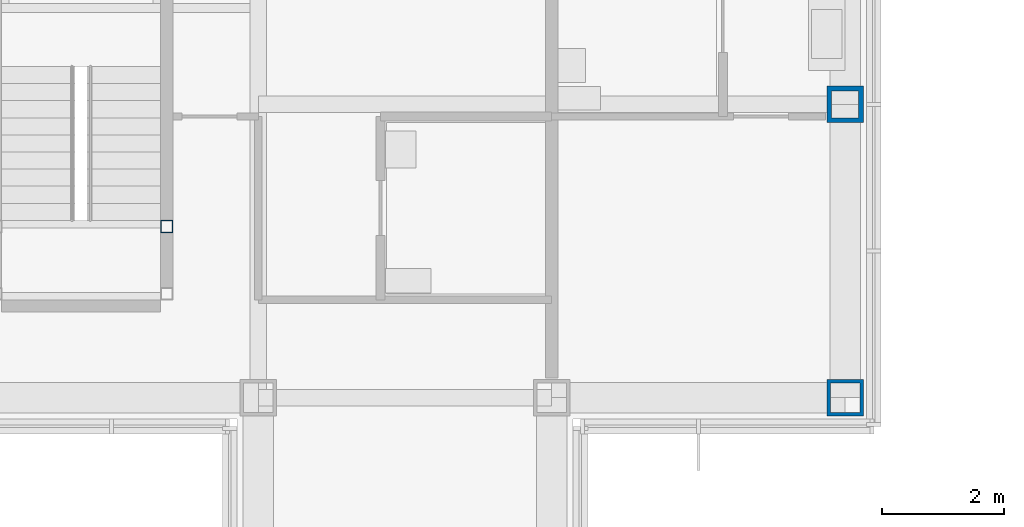
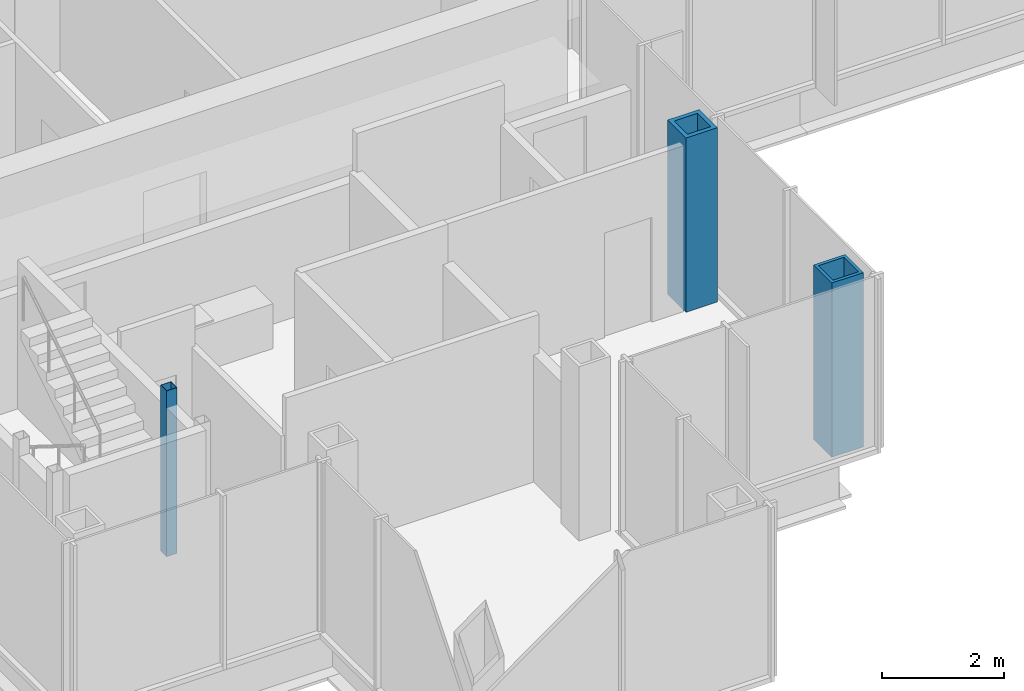
# One storey, part 2 of 17: 3 columns.
"""IFC4 building model written with IfcOpenShell, lengths in metres."""

from ifc_helpers import new_model, si_unit, direction, frame, origin, origin_2d, place, context, subcontext, project, spatial, hollow_rectangle, extrude, material, material_profile, profile_set, type_object, element, save


model = new_model("IFC4")

# Units and contexts
model_context = context("Model", 3, precision=1e-05, world=origin(), true_north=direction((0.0, 1.0)))
body_context = subcontext(model_context, "Body", "Model", "MODEL_VIEW")
ifc_project = project(units=[si_unit("LENGTHUNIT", "METRE"), si_unit("AREAUNIT", "SQUARE_METRE"), si_unit("VOLUMEUNIT", "CUBIC_METRE"), si_unit("PLANEANGLEUNIT", "RADIAN"), si_unit("MASSUNIT", "GRAM", prefix="KILO")], contexts=[model_context])

# Site, building, storey
site_placement = place(None, origin())
site = spatial("IfcSite", under=ifc_project, at=site_placement, CompositionType="ELEMENT")
building_placement = place(site_placement, origin())
building = spatial("IfcBuilding", under=site, at=building_placement, Name="Kvirike Care Tower", CompositionType="ELEMENT")
storey_placement = place(building_placement, frame((0.0, 0.0, 158.5)))
storey = spatial("IfcBuildingStorey", under=building, at=storey_placement, Name="L43", CompositionType="ELEMENT", Elevation=158.5)

# Columns
ifc_material_1 = material(Name="Steel S460", Category="steel")
ifc_material_profile_1 = material_profile(ifc_material_1, hollow_rectangle(XDim=0.60009765625, YDim=0.60009765625, WallThickness=0.06005859375, at=origin_2d()), Name="BX 600x600x60")
ifc_profile_set_1 = profile_set([ifc_material_profile_1], Name="Steel S460")
column_type_1 = type_object("IfcColumnType", Name="COLUMN BX 600x600x60", PredefinedType="COLUMN", material=ifc_profile_set_1)
column_1_placement = place(storey_placement, frame((28.800048828125, 19.199951171875, 0.0), z_axis=(0.0, 0.0, 1.0), x_axis=(0.0, 1.0, 0.0)))
element("IfcColumn", 1, at=column_1_placement, inside=storey, type_object=column_type_1, Name="Column E9 L43", PredefinedType="COLUMN", context=body_context, shape_type="SweptSolid", body=[
    extrude(hollow_rectangle(XDim=0.60009765625, YDim=0.60009765625, WallThickness=0.06005859375, at=origin_2d()), origin(), (0.0, 0.0, 1.0), 3.5),
])
ifc_material_2 = material(Name="Steel S460", Category="steel")
ifc_material_profile_2 = material_profile(ifc_material_2, hollow_rectangle(XDim=0.60009765625, YDim=0.60009765625, WallThickness=0.080078125, at=origin_2d()), Name="BX 600x600x80")
ifc_profile_set_2 = profile_set([ifc_material_profile_2], Name="Steel S460")
column_type_2 = type_object("IfcColumnType", Name="COLUMN BX 600x600x80", PredefinedType="COLUMN", material=ifc_profile_set_2)
column_2_placement = place(storey_placement, frame((28.800048828125, 24.0, 0.0), z_axis=(0.0, 0.0, 1.0), x_axis=(1.0, 0.0, 0.0)))
element("IfcColumn", 2, at=column_2_placement, inside=storey, type_object=column_type_2, Name="Column F9 L43", PredefinedType="COLUMN", context=body_context, shape_type="SweptSolid", body=[
    extrude(hollow_rectangle(XDim=0.60009765625, YDim=0.60009765625, WallThickness=0.080078125, at=origin_2d()), origin(), (0.0, 0.0, 1.0), 3.5),
])
ifc_material_3 = material(Name="Steel S460", Category="steel")
ifc_material_profile_3 = material_profile(ifc_material_3, hollow_rectangle(XDim=0.199951171875, YDim=0.199951171875, WallThickness=0.008056640625, at=origin_2d()), Name="SHS 200x200x8")
ifc_profile_set_3 = profile_set([ifc_material_profile_3], Name="Steel S460")
column_type_3 = type_object("IfcColumnType", Name="STAIR POST SHS 200x200x8", PredefinedType="COLUMN", material=ifc_profile_set_3)
column_3_placement = place(storey_placement, frame((17.699951171875, 22.0, 0.0), z_axis=(0.0, 0.0, 1.0), x_axis=(1.0, 0.0, 0.0)))
element("IfcColumn", 3, at=column_3_placement, inside=storey, type_object=column_type_3, Name="Stair 5 post 4 L43", PredefinedType="COLUMN", context=body_context, shape_type="SweptSolid", body=[
    extrude(hollow_rectangle(XDim=0.199951171875, YDim=0.199951171875, WallThickness=0.008056640625, at=origin_2d()), origin(), (0.0, 0.0, 1.0), 3.330078125),
])

save(model, "model.ifc")
